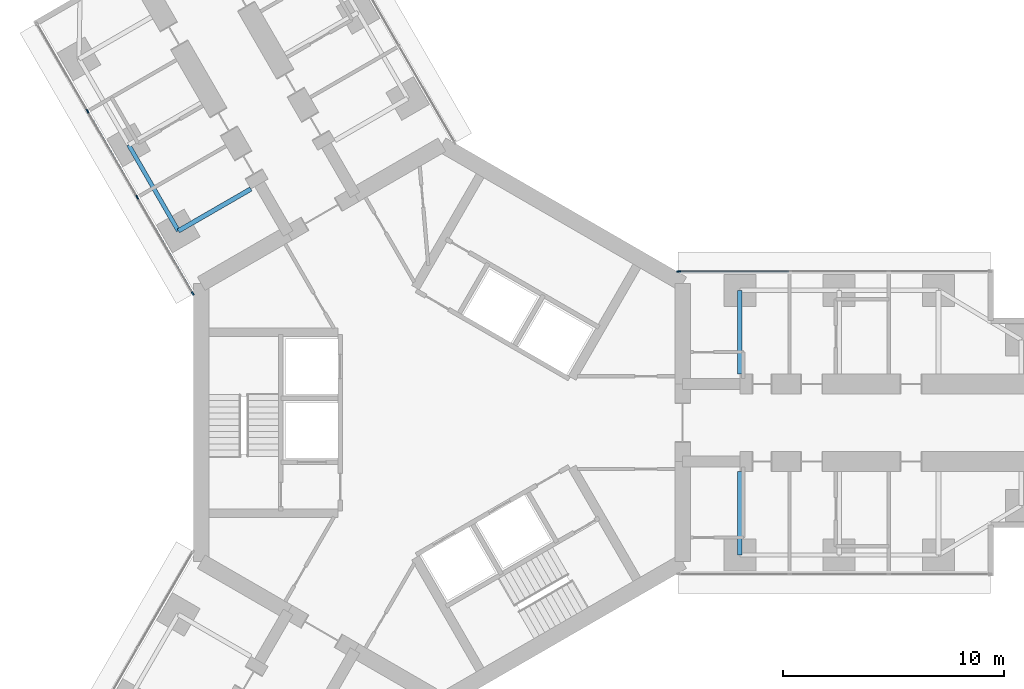
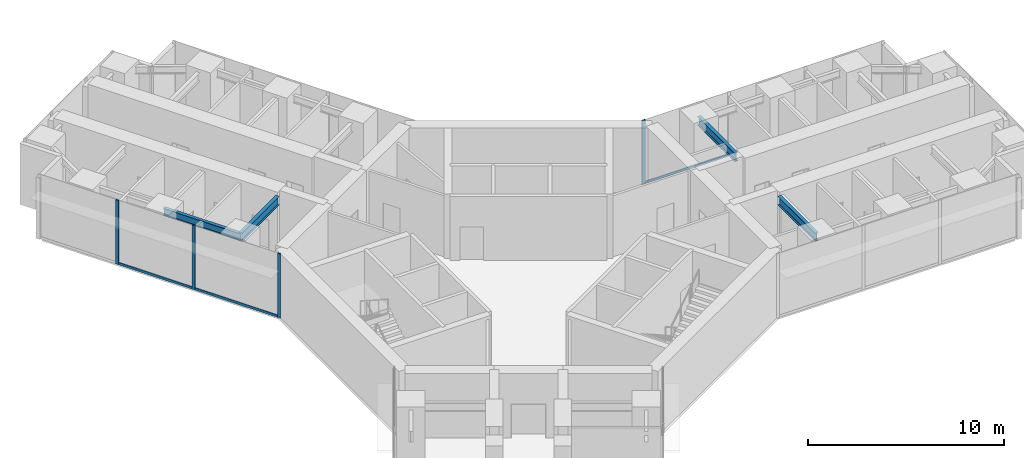
# One storey, part 6 of 24: 7 members, 4 beams, 2 elements without a shape of their own.
"""IFC4 building model written with IfcOpenShell, lengths in metres."""

from ifc_helpers import new_model, si_unit, direction, frame, origin, origin_2d, place, context, subcontext, project, spatial, rectangle, i_section, extrude, material, material_profile, profile_set, type_object, element, aggregate, save


model = new_model("IFC4")

# Units and contexts
model_context = context("Model", 3, precision=1e-05, world=origin(), true_north=direction((0.0, 1.0)))
body_context = subcontext(model_context, "Body", "Model", "MODEL_VIEW")
ifc_project = project(units=[si_unit("LENGTHUNIT", "METRE"), si_unit("AREAUNIT", "SQUARE_METRE"), si_unit("VOLUMEUNIT", "CUBIC_METRE"), si_unit("PLANEANGLEUNIT", "RADIAN"), si_unit("MASSUNIT", "GRAM", prefix="KILO")], contexts=[model_context])

# Site, building, storey
site_placement = place(None, origin())
site = spatial("IfcSite", under=ifc_project, at=site_placement, CompositionType="ELEMENT")
building_placement = place(site_placement, origin())
building = spatial("IfcBuilding", under=site, at=building_placement, Name="Upepo Twin Towers", CompositionType="ELEMENT")
storey_placement = place(building_placement, frame((0.0, 0.0, 60.5)))
storey = spatial("IfcBuildingStorey", under=building, at=storey_placement, Name="L14", CompositionType="ELEMENT", Elevation=60.5)

# Beams
ifc_material_1 = material(Name="Steel S355", Category="steel")
ifc_material_profile_1 = material_profile(ifc_material_1, i_section(OverallWidth=0.1904296875, OverallDepth=0.45703125, WebThickness=0.009033203125, FlangeThickness=0.014404296875, FilletRadius=0.01025390625, at=origin_2d()), Name="UB 457x191x74")
ifc_profile_set_1 = profile_set([ifc_material_profile_1], Name="Steel S355")
beam_type_1 = type_object("IfcBeamType", Name="Beam UB 457x191x74", PredefinedType="BEAM", material=ifc_profile_set_1)
beam_1_placement = place(storey_placement, frame((-11.946044921875, 8.69140625, 3.571533203125), z_axis=(-0.500013631625, 0.866017533419, 0.0), x_axis=(-0.866017533419, -0.500013631625, 0.0)))
element("IfcBeam", 1, at=beam_1_placement, inside=storey, type_object=beam_type_1, Name="T1 edge beam BL 13.5-18.0", PredefinedType="BEAM", context=body_context, shape_type="SweptSolid", body=[
    extrude(i_section(OverallWidth=0.1904296875, OverallDepth=0.45703125, WebThickness=0.009033203125, FlangeThickness=0.014404296875, FilletRadius=0.01025390625, at=origin_2d()), origin(), (0.0, 0.0, 1.0), 4.499755859375),
])
ifc_material_2 = material(Name="Steel S355", Category="steel")
ifc_material_profile_2 = material_profile(ifc_material_2, i_section(OverallWidth=0.209228515625, OverallDepth=0.533203125, WebThickness=0.010009765625, FlangeThickness=0.015625, FilletRadius=0.0126953125, at=origin_2d()), Name="UB 533x210x92")
ifc_profile_set_2 = profile_set([ifc_material_profile_2], Name="Steel S355")
beam_type_2 = type_object("IfcBeamType", Name="Beam UB 533x210x92", PredefinedType="BEAM", material=ifc_profile_set_2)
for number, where, z_axis, x_axis, name in (
    (2, (13.5, 6.0, 3.533447265625), (0.0, -1.0, 0.0), (1.0, 0.0, 0.0), "T1 girder AL at 13.5"),
    (3, (13.5, -6.0, 3.533447265625), (0.0, 1.0, 0.0), (-1.0, 0.0, 0.0), "T1 girder AR at 13.5"),
):
    element("IfcBeam", number, at=place(storey_placement, frame(where, z_axis=z_axis, x_axis=x_axis)), inside=storey, type_object=beam_type_2, Name=name, PredefinedType="BEAM", context=body_context, shape_type="SweptSolid", body=[
        extrude(i_section(OverallWidth=0.209228515625, OverallDepth=0.533203125, WebThickness=0.010009765625, FlangeThickness=0.015625, FilletRadius=0.0126953125, at=origin_2d()), origin(), (0.0, 0.0, 1.0), 3.800048828125),
    ])
beam_2_placement = place(storey_placement, frame((-11.946044921875, 8.69140625, 3.533447265625), z_axis=(0.866028304915, 0.499994975061, 0.0), x_axis=(-0.499994975061, 0.866028304915, 0.0)))
element("IfcBeam", 4, at=beam_2_placement, inside=storey, type_object=beam_type_2, Name="T1 girder BL at 13.5", PredefinedType="BEAM", context=body_context, shape_type="SweptSolid", body=[
    extrude(i_section(OverallWidth=0.209228515625, OverallDepth=0.533203125, WebThickness=0.010009765625, FlangeThickness=0.015625, FilletRadius=0.0126953125, at=origin_2d()), origin(), (0.0, 0.0, 1.0), 3.7998046875),
])

# Curtain wall, member
ifc_material_3 = material(Name="Aluminium and fritted glass", Category="aluminium")
curtain_wall_type = type_object("IfcCurtainWallType", Name="Tower curtain wall TW1, fritted glass", PredefinedType="NOTDEFINED", material=ifc_material_3)
curtain_wall_1_placement = place(storey_placement, origin())
curtain_wall_1 = element("IfcCurtainWall", 5, at=curtain_wall_1_placement, inside=storey, type_object=curtain_wall_type, Name="T1 L14 wing A flank L curtain wall", PredefinedType="NOTDEFINED")
ifc_material_4 = material(Name="Aluminium mullion", Category="aluminium")
ifc_material_profile_3 = material_profile(ifc_material_4, rectangle(XDim=0.06494140625, YDim=0.179931640625, at=origin_2d()), Name="MULLION 65x180")
ifc_profile_set_3 = profile_set([ifc_material_profile_3], Name="Aluminium mullion")
member_type_1 = type_object("IfcMemberType", Name="Mullion 65x180 TW1", PredefinedType="MULLION", material=ifc_profile_set_3)
member_1_placement = place(storey_placement, frame((10.7197265625, 6.85009765625, 0.0), z_axis=(0.0, 0.0, 1.0), x_axis=(0.0, 1.0, 0.0)))
member_1 = element("IfcMember", 6, at=member_1_placement, type_object=member_type_1, Name="T1 L14 wing A flank L curtain wall mullion 1", PredefinedType="MULLION", context=body_context, shape_type="SweptSolid", body=[
    extrude(rectangle(XDim=0.06494140625, YDim=0.179931640625, at=origin_2d()), origin(), (0.0, 0.0, 1.0), 4.0),
])

# Curtain wall, members
curtain_wall_2_placement = place(storey_placement, origin())
curtain_wall_2 = element("IfcCurtainWall", 7, at=curtain_wall_2_placement, inside=storey, type_object=curtain_wall_type, Name="T1 L14 wing B flank L curtain wall", PredefinedType="NOTDEFINED")
member_2_placement = place(storey_placement, frame((-11.2919921875, 5.8583984375, 0.0), z_axis=(0.0, 0.0, 1.0), x_axis=(-0.866025389682, -0.500000024426, 0.0)))
member_2 = element("IfcMember", 8, at=member_2_placement, type_object=member_type_1, Name="T1 L14 wing B flank L curtain wall mullion 1", PredefinedType="MULLION", context=body_context, shape_type="SweptSolid", body=[
    extrude(rectangle(XDim=0.06494140625, YDim=0.179931640625, at=origin_2d()), origin(), (0.0, 0.0, 1.0), 4.0),
])
member_3_placement = place(storey_placement, frame((-13.807373046875, 10.21484375, 0.0), z_axis=(0.0, 0.0, 1.0), x_axis=(-0.866025389682, -0.500000024426, 0.0)))
member_3 = element("IfcMember", 9, at=member_3_placement, type_object=member_type_1, Name="T1 L14 wing B flank L curtain wall mullion 2", PredefinedType="MULLION", context=body_context, shape_type="SweptSolid", body=[
    extrude(rectangle(XDim=0.06494140625, YDim=0.179931640625, at=origin_2d()), origin(), (0.0, 0.0, 1.0), 4.0),
])
member_4_placement = place(storey_placement, frame((-16.057373046875, 14.112060546875, 0.0), z_axis=(0.0, 0.0, 1.0), x_axis=(-0.866025389682, -0.500000024426, 0.0)))
member_4 = element("IfcMember", 10, at=member_4_placement, type_object=member_type_1, Name="T1 L14 wing B flank L curtain wall mullion 3", PredefinedType="MULLION", context=body_context, shape_type="SweptSolid", body=[
    extrude(rectangle(XDim=0.06494140625, YDim=0.179931640625, at=origin_2d()), origin(), (0.0, 0.0, 1.0), 4.0),
])

# Member
ifc_material_5 = material(Name="Aluminium transom", Category="aluminium")
ifc_material_profile_4 = material_profile(ifc_material_5, rectangle(XDim=0.06494140625, YDim=0.14990234375, at=origin_2d()), Name="TRANSOM 65x150")
ifc_profile_set_4 = profile_set([ifc_material_profile_4], Name="Aluminium transom")
member_type_2 = type_object("IfcMemberType", Name="Transom 65x150 TW1", PredefinedType="USERDEFINED", material=ifc_profile_set_4)
member_5_placement = place(storey_placement, frame((10.752197265625, 6.85009765625, 0.074951171875), z_axis=(1.0, 0.0, 0.0), x_axis=(0.0, 1.0, 0.0)))
member_5 = element("IfcMember", 11, at=member_5_placement, type_object=member_type_2, Name="T1 L14 wing A flank L curtain wall transom 1", ObjectType="TRANSOM", PredefinedType="USERDEFINED", context=body_context, shape_type="SweptSolid", body=[
    extrude(rectangle(XDim=0.06494140625, YDim=0.14990234375, at=origin_2d()), origin(), (0.0, 0.0, 1.0), 4.96533203125),
])

aggregate(curtain_wall_1, [member_1, member_5])

member_6_placement = place(storey_placement, frame((-11.308349609375, 5.88671875, 0.074951171875), z_axis=(-0.50000478328, 0.866022642139, 0.0), x_axis=(-0.866022642139, -0.50000478328, 0.0)))
member_6 = element("IfcMember", 12, at=member_6_placement, type_object=member_type_2, Name="T1 L14 wing B flank L curtain wall transom 1", ObjectType="TRANSOM", PredefinedType="USERDEFINED", context=body_context, shape_type="SweptSolid", body=[
    extrude(rectangle(XDim=0.06494140625, YDim=0.14990234375, at=origin_2d()), origin(), (0.0, 0.0, 1.0), 4.96533203125),
])

member_7_placement = place(storey_placement, frame((-13.823486328125, 10.2431640625, 0.074951171875), z_axis=(-0.500005184116, 0.866022410713, 0.0), x_axis=(-0.866022410713, -0.500005184116, 0.0)))
member_7 = element("IfcMember", 13, at=member_7_placement, type_object=member_type_2, Name="T1 L14 wing B flank L curtain wall transom 2", ObjectType="TRANSOM", PredefinedType="USERDEFINED", context=body_context, shape_type="SweptSolid", body=[
    extrude(rectangle(XDim=0.06494140625, YDim=0.14990234375, at=origin_2d()), origin(), (0.0, 0.0, 1.0), 4.43505859375),
])

aggregate(curtain_wall_2, [member_2, member_3, member_4, member_6, member_7])

save(model, "model.ifc")
